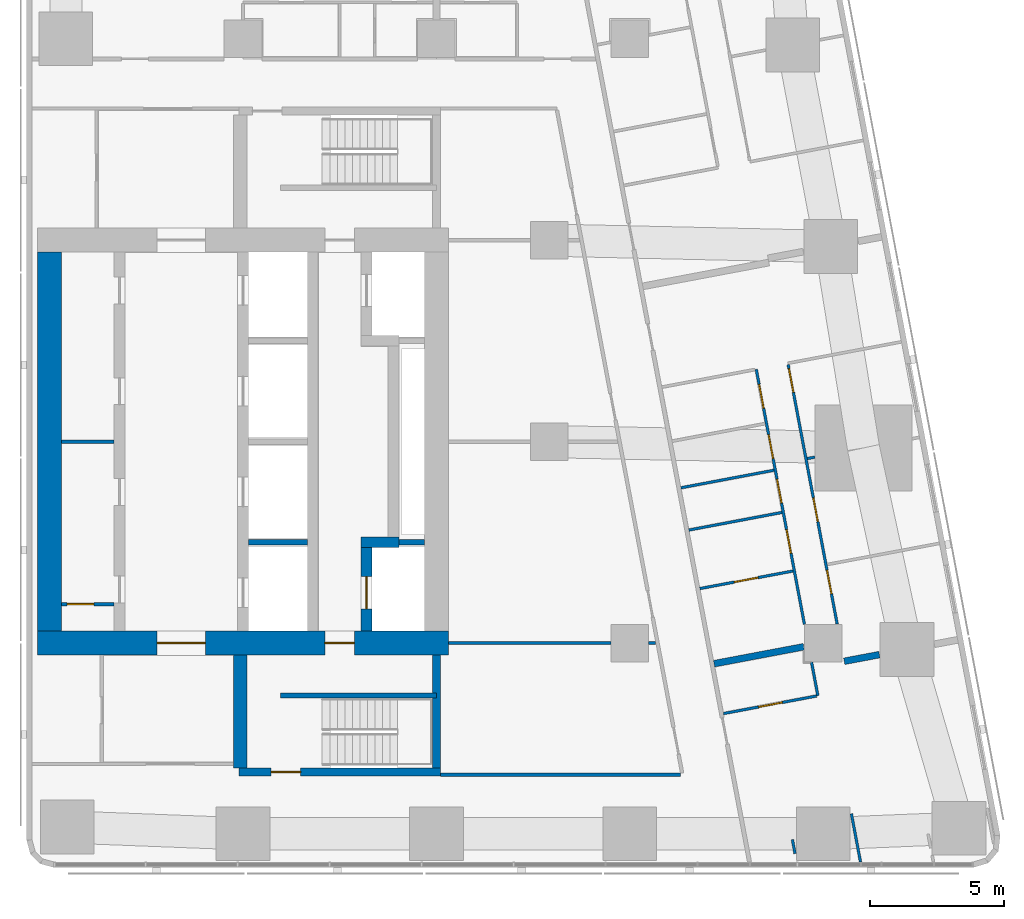
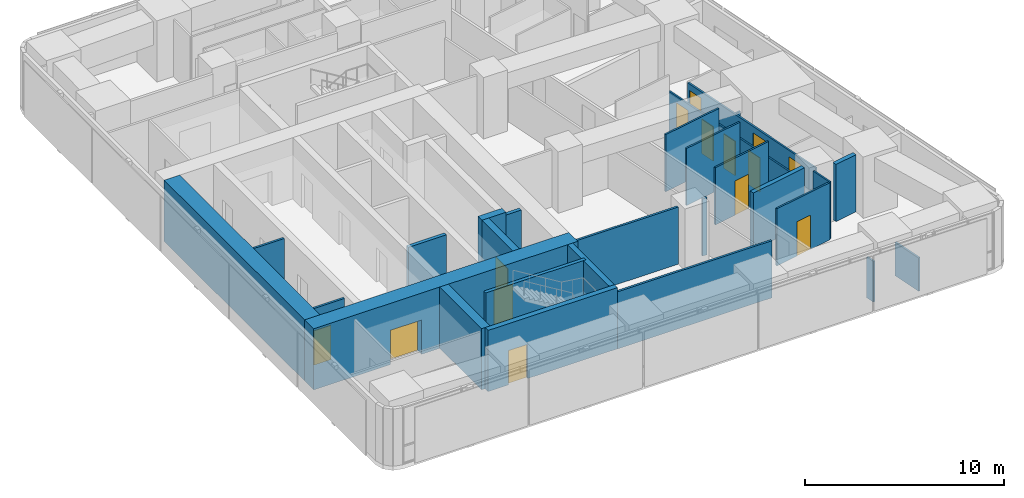
# One storey, part 5 of 11: 27 walls, 14 doors, 14 openings.
"""IFC4 building model written with IfcOpenShell, lengths in metres."""

from ifc_helpers import new_model, si_unit, direction, frame, frame_2d, origin, place, context, subcontext, project, spatial, rectangle, extrude, material, layer, layer_set, type_object, element, fill, save


model = new_model("IFC4")

# Units and contexts
model_context = context("Model", 3, precision=1e-05, world=origin(), true_north=direction((0.0, 1.0)))
body_context = subcontext(model_context, "Body", "Model", "MODEL_VIEW")
ifc_project = project(units=[si_unit("LENGTHUNIT", "METRE"), si_unit("AREAUNIT", "SQUARE_METRE"), si_unit("VOLUMEUNIT", "CUBIC_METRE"), si_unit("PLANEANGLEUNIT", "RADIAN"), si_unit("MASSUNIT", "GRAM", prefix="KILO")], contexts=[model_context])

# Site, building, storey
site_placement = place(None, origin())
site = spatial("IfcSite", under=ifc_project, at=site_placement, CompositionType="ELEMENT")
building_placement = place(site_placement, origin())
building = spatial("IfcBuilding", under=site, at=building_placement, Name="Sheger Commons Tower", CompositionType="ELEMENT")
storey_placement = place(building_placement, frame((0.0, 0.0, 281.60009765625)))
storey = spatial("IfcBuildingStorey", under=building, at=storey_placement, Name="L72", CompositionType="ELEMENT", Elevation=281.60009765625)

# Wall, opening, door
ifc_material_1 = material(Name="Concrete C50/60", Category="concrete")
ifc_layer_1 = layer(ifc_material_1, 0.39990234375)
ifc_layer_set_1 = layer_set([ifc_layer_1], Name="CORE INNER WALL 400")
wall_type_1 = type_object("IfcWallType", Name="CORE INNER WALL 400", PredefinedType="SHEAR", material=ifc_layer_set_1)
wall_1_placement = place(storey_placement, frame((26.199951171875, 15.449951171875, 0.0), z_axis=(0.0, 0.0, 1.0), x_axis=(0.0, 1.0, 0.0)))
wall_1 = element("IfcWall", 1, at=wall_1_placement, inside=storey, type_object=wall_type_1, Name="Core inner wall F L72", PredefinedType="SHEAR", context=body_context, shape_type="SweptSolid", body=[
    extrude(rectangle(XDim=3.10009765625, YDim=0.39990234375, at=frame_2d((1.550048828125, 0.0))), origin(), (0.0, 0.0, 1.0), 3.75),
])
opening_1_placement = place(wall_1_placement, frame((0.824951171875, 0.0, 0.0)))
opening_1 = element("IfcOpeningElement", 2, at=opening_1_placement, cuts=wall_1, Name="Opening LD2", PredefinedType="OPENING", context=body_context, shape_type="SweptSolid", body=[
    extrude(rectangle(XDim=1.199951171875, YDim=2.10009765625, at=frame_2d((0.60009765625, 1.050048828125))), frame((0.0, 0.2099609375, 0.0), z_axis=(0.0, -1.0, 0.0), x_axis=(1.0, 0.0, 0.0)), (0.0, 0.0, 1.0), 0.419921875),
])
ifc_material_2 = material(Name="Steel door set, fire rated", Category="steel")
door_type_1 = type_object("IfcDoorType", Name="FIREFIGHTING LIFT LANDING DOOR 1200x2100", OperationType="DOUBLE_DOOR_SLIDING", PredefinedType="DOOR", material=ifc_material_2)
door_1_placement = place(opening_1_placement, origin())
door_1 = element("IfcDoor", 3, at=door_1_placement, inside=storey, type_object=door_type_1, Name="Lift FL1 landing door", OperationType="DOUBLE_DOOR_SLIDING", OverallHeight=2.10009765625, OverallWidth=1.199951171875, PredefinedType="DOOR", context=body_context, shape_type="SweptSolid", body=[
    extrude(rectangle(XDim=1.199951171875, YDim=2.10009765625, at=frame_2d((0.60009765625, 1.050048828125))), frame((0.0, 0.02490234375, 0.0), z_axis=(0.0, -1.0, 0.0), x_axis=(1.0, 0.0, 0.0)), (0.0, 0.0, 1.0), 0.050048828125),
])
fill(opening_1, door_1)

# Wall
wall_2_placement = place(storey_placement, frame((26.0, 18.75, 0.0), z_axis=(0.0, 0.0, 1.0), x_axis=(1.0, 0.0, 0.0)))
element("IfcWall", 4, at=wall_2_placement, inside=storey, type_object=wall_type_1, Name="Core inner wall F south return L72", PredefinedType="SHEAR", context=body_context, shape_type="SweptSolid", body=[
    extrude(rectangle(XDim=1.39990234375, YDim=0.39990234375, at=frame_2d((0.699951171875, 0.0))), origin(), (0.0, 0.0, 1.0), 3.75),
])

# Wall, openings, doors
ifc_material_3 = material(Name="Concrete C50/60", Category="concrete")
ifc_layer_2 = layer(ifc_material_3, 0.89990234375)
ifc_layer_set_2 = layer_set([ifc_layer_2], Name="CORE WALL 900")
wall_type_2 = type_object("IfcWallType", Name="CORE WALL 900", PredefinedType="SHEAR", material=ifc_layer_set_2)
wall_3_placement = place(storey_placement, frame((13.949951171875, 15.0, 0.0), z_axis=(0.0, 0.0, 1.0), x_axis=(1.0, 0.0, 0.0)))
wall_3 = element("IfcWall", 5, at=wall_3_placement, inside=storey, type_object=wall_type_2, Name="Core wall south L72", PredefinedType="SHEAR", context=body_context, shape_type="SweptSolid", body=[
    extrude(rectangle(XDim=15.300048828125, YDim=0.89990234375, at=frame_2d((7.64990234375, 0.0))), origin(), (0.0, 0.0, 1.0), 3.75),
])
opening_2_placement = place(wall_3_placement, frame((4.449951171875, 0.0, 0.0)))
opening_2 = element("IfcOpeningElement", 6, at=opening_2_placement, cuts=wall_3, Name="Opening D6", PredefinedType="OPENING", context=body_context, shape_type="SweptSolid", body=[
    extrude(rectangle(XDim=1.800048828125, YDim=2.10009765625, at=frame_2d((0.89990234375, 1.050048828125))), frame((0.0, 0.4599609375, 0.0), z_axis=(0.0, -1.0, 0.0), x_axis=(1.0, 0.0, 0.0)), (0.0, 0.0, 1.0), 0.919921875),
])
opening_3_placement = place(wall_3_placement, frame((10.699951171875, 0.0, 0.0)))
opening_3 = element("IfcOpeningElement", 7, at=opening_3_placement, cuts=wall_3, Name="Opening D5", PredefinedType="OPENING", context=body_context, shape_type="SweptSolid", body=[
    extrude(rectangle(XDim=1.10009765625, YDim=2.10009765625, at=frame_2d((0.550048828125, 1.050048828125))), frame((0.0, 0.4599609375, 0.0), z_axis=(0.0, -1.0, 0.0), x_axis=(1.0, 0.0, 0.0)), (0.0, 0.0, 1.0), 0.919921875),
])
ifc_material_4 = material(Name="Steel door set, fire rated", Category="steel")
door_type_2 = type_object("IfcDoorType", Name="LOBBY DOUBLE DOOR 1800x2100", OperationType="DOUBLE_DOOR_SINGLE_SWING", PredefinedType="DOOR", material=ifc_material_4)
door_2_placement = place(opening_2_placement, origin())
door_2 = element("IfcDoor", 8, at=door_2_placement, inside=storey, type_object=door_type_2, Name="Lift lobby door", OperationType="DOUBLE_DOOR_SINGLE_SWING", OverallHeight=2.10009765625, OverallWidth=1.800048828125, PredefinedType="DOOR", context=body_context, shape_type="SweptSolid", body=[
    extrude(rectangle(XDim=1.800048828125, YDim=2.10009765625, at=frame_2d((0.89990234375, 1.050048828125))), frame((0.0, 0.02490234375, 0.0), z_axis=(0.0, -1.0, 0.0), x_axis=(1.0, 0.0, 0.0)), (0.0, 0.0, 1.0), 0.050048828125),
])
fill(opening_2, door_2)
ifc_material_5 = material(Name="Steel door set, fire rated", Category="steel")
door_type_3 = type_object("IfcDoorType", Name="STAIR DOOR 1100x2100", OperationType="NOTDEFINED", PredefinedType="DOOR", material=ifc_material_5)
door_3_placement = place(opening_3_placement, origin())
door_3 = element("IfcDoor", 9, at=door_3_placement, inside=storey, type_object=door_type_3, Name="Fire-fighting lobby door", OperationType="SINGLE_SWING_RIGHT", OverallHeight=2.10009765625, OverallWidth=1.10009765625, PredefinedType="DOOR", context=body_context, shape_type="SweptSolid", body=[
    extrude(rectangle(XDim=1.10009765625, YDim=2.10009765625, at=frame_2d((0.550048828125, 1.050048828125))), frame((0.0, 0.02490234375, 0.0), z_axis=(0.0, -1.0, 0.0), x_axis=(1.0, 0.0, 0.0)), (0.0, 0.0, 1.0), 0.050048828125),
])
fill(opening_3, door_3)

# Walls
wall_4_placement = place(storey_placement, frame((14.39990234375, 15.449951171875, 0.0), z_axis=(0.0, 0.0, 1.0), x_axis=(0.0, 1.0, 0.0)))
element("IfcWall", 10, at=wall_4_placement, inside=storey, type_object=wall_type_2, Name="Core wall west L72", PredefinedType="SHEAR", context=body_context, shape_type="SweptSolid", body=[
    extrude(rectangle(XDim=14.10009765625, YDim=0.89990234375, at=frame_2d((7.050048828125, 0.0))), origin(), (0.0, 0.0, 1.0), 3.75),
])
ifc_material_6 = material(Name="Dense concrete block masonry, plastered both sides (separating wall between flats)", Category="masonry")
ifc_layer_3 = layer(ifc_material_6, 0.25)
ifc_layer_set_3 = layer_set([ifc_layer_3], Name="DEMISING WALL 250")
wall_type_3 = type_object("IfcWallType", Name="DEMISING WALL 250", PredefinedType="SOLIDWALL", material=ifc_layer_set_3)
wall_5_placement = place(storey_placement, frame((45.2900390625, 14.569091796875, 0.0), z_axis=(0.0, 0.0, 1.0), x_axis=(-0.982676759201, -0.185327782391, 0.0)))
element("IfcWall", 11, at=wall_5_placement, inside=storey, type_object=wall_type_3, Name="Demising wall L72", PredefinedType="SOLIDWALL", context=body_context, shape_type="SweptSolid", body=[
    extrude(rectangle(XDim=1.333251953125, YDim=0.25, at=frame_2d((0.66650390625, 0.0))), origin(), (0.0, 0.0, 1.0), 3.5),
])
wall_6_placement = place(storey_placement, frame((42.47607421875, 14.863037109375, 0.0), z_axis=(0.0, 0.0, 1.0), x_axis=(-0.982603567712, -0.185715450942, 0.0)))
element("IfcWall", 12, at=wall_6_placement, inside=storey, type_object=wall_type_3, Name="Demising wall L72", PredefinedType="SOLIDWALL", context=body_context, shape_type="SweptSolid", body=[
    extrude(rectangle(XDim=3.398193359375, YDim=0.25, at=frame_2d((1.69921875, 0.0))), origin(), (0.0, 0.0, 1.0), 3.5),
])
ifc_material_7 = material(Name="Gypsum board on steel studs", Category="steel")
ifc_layer_4 = layer(ifc_material_7, 0.10009765625)
ifc_layer_set_4 = layer_set([ifc_layer_4], Name="PARTITION 100")
wall_type_4 = type_object("IfcWallType", Name="PARTITION 100", PredefinedType="PARTITIONING", material=ifc_layer_set_4)
wall_7_placement = place(storey_placement, frame((44.248046875, 8.64599609375, 0.0), z_axis=(0.0, 0.0, 1.0), x_axis=(0.185417594585, -0.982659816833, 0.0)))
element("IfcWall", 13, at=wall_7_placement, inside=storey, type_object=wall_type_4, Name="Partition L72", PredefinedType="PARTITIONING", context=body_context, shape_type="SweptSolid", body=[
    extrude(rectangle(XDim=1.82763671875, YDim=0.10009765625, at=frame_2d((0.913818359375, 0.0))), origin(), (0.0, 0.0, 1.0), 2.0498046875),
])
wall_8_placement = place(storey_placement, frame((42.15087890625, 7.159912109375, 0.0), z_axis=(0.0, 0.0, 1.0), x_axis=(-0.185366164644, 0.982669519729, 0.0)))
element("IfcWall", 14, at=wall_8_placement, inside=storey, type_object=wall_type_4, Name="Partition L72", PredefinedType="PARTITIONING", context=body_context, shape_type="SweptSolid", body=[
    extrude(rectangle(XDim=0.533447265625, YDim=0.10009765625, at=frame_2d((0.2666015625, 0.0))), origin(), (0.0, 0.0, 1.0), 2.5),
])

# Wall, openings, doors
wall_9_placement = place(storey_placement, frame((41.89404296875, 25.365966796875, 0.0), z_axis=(0.0, 0.0, 1.0), x_axis=(0.185612905165, -0.982622943675, 0.0)))
wall_9 = element("IfcWall", 15, at=wall_9_placement, inside=storey, type_object=wall_type_4, Name="Partition L72", PredefinedType="PARTITIONING", context=body_context, shape_type="SweptSolid", body=[
    extrude(rectangle(XDim=9.82666015625, YDim=0.10009765625, at=frame_2d((4.913330078125, 0.0))), origin(), (0.0, 0.0, 1.0), 2.5),
])
opening_4_placement = place(wall_9_placement, frame((0.15087890625, 0.0, 0.0)))
opening_4 = element("IfcOpeningElement", 16, at=opening_4_placement, cuts=wall_9, Name="Opening D2", PredefinedType="OPENING", context=body_context, shape_type="SweptSolid", body=[
    extrude(rectangle(XDim=0.89990234375, YDim=2.10009765625, at=frame_2d((0.449951171875, 1.050048828125))), frame((0.0, 0.06005859375, 0.0), z_axis=(0.0, -1.0, 0.0), x_axis=(1.0, 0.0, 0.0)), (0.0, 0.0, 1.0), 0.1201171875),
])
opening_5_placement = place(wall_9_placement, frame((5.050048828125, 0.0, 0.0)))
opening_5 = element("IfcOpeningElement", 17, at=opening_5_placement, cuts=wall_9, Name="Opening D2", PredefinedType="OPENING", context=body_context, shape_type="SweptSolid", body=[
    extrude(rectangle(XDim=0.89990234375, YDim=2.10009765625, at=frame_2d((0.449951171875, 1.050048828125))), frame((0.0, 0.06005859375, 0.0), z_axis=(0.0, -1.0, 0.0), x_axis=(1.0, 0.0, 0.0)), (0.0, 0.0, 1.0), 0.1201171875),
])
opening_6_placement = place(wall_9_placement, frame((7.782958984375, 0.0, 0.0)))
opening_6 = element("IfcOpeningElement", 18, at=opening_6_placement, cuts=wall_9, Name="Opening D2", PredefinedType="OPENING", context=body_context, shape_type="SweptSolid", body=[
    extrude(rectangle(XDim=0.89990234375, YDim=2.10009765625, at=frame_2d((0.449951171875, 1.050048828125))), frame((0.0, 0.06005859375, 0.0), z_axis=(0.0, -1.0, 0.0), x_axis=(1.0, 0.0, 0.0)), (0.0, 0.0, 1.0), 0.1201171875),
])
ifc_material_8 = material(Name="Timber door set", Category="wood")
door_type_4 = type_object("IfcDoorType", Name="INTERNAL DOOR 900x2100", OperationType="NOTDEFINED", PredefinedType="DOOR", material=ifc_material_8)
door_4_placement = place(opening_4_placement, origin())
door_4 = element("IfcDoor", 19, at=door_4_placement, inside=storey, type_object=door_type_4, Name="Main bedroom door", OperationType="SINGLE_SWING_LEFT", OverallHeight=2.10009765625, OverallWidth=0.89990234375, PredefinedType="DOOR", context=body_context, shape_type="SweptSolid", body=[
    extrude(rectangle(XDim=0.89990234375, YDim=2.10009765625, at=frame_2d((0.449951171875, 1.050048828125))), frame((0.0, 0.02490234375, 0.0), z_axis=(0.0, -1.0, 0.0), x_axis=(1.0, 0.0, 0.0)), (0.0, 0.0, 1.0), 0.050048828125),
])
fill(opening_4, door_4)
door_5_placement = place(opening_5_placement, origin())
door_5 = element("IfcDoor", 20, at=door_5_placement, inside=storey, type_object=door_type_4, Name="Bedroom 2 door", OperationType="SINGLE_SWING_LEFT", OverallHeight=2.10009765625, OverallWidth=0.89990234375, PredefinedType="DOOR", context=body_context, shape_type="SweptSolid", body=[
    extrude(rectangle(XDim=0.89990234375, YDim=2.10009765625, at=frame_2d((0.449951171875, 1.050048828125))), frame((0.0, 0.02490234375, 0.0), z_axis=(0.0, -1.0, 0.0), x_axis=(1.0, 0.0, 0.0)), (0.0, 0.0, 1.0), 0.050048828125),
])
fill(opening_5, door_5)
door_6_placement = place(opening_6_placement, origin())
door_6 = element("IfcDoor", 21, at=door_6_placement, inside=storey, type_object=door_type_4, Name="Bedroom 3 door", OperationType="SINGLE_SWING_LEFT", OverallHeight=2.10009765625, OverallWidth=0.89990234375, PredefinedType="DOOR", context=body_context, shape_type="SweptSolid", body=[
    extrude(rectangle(XDim=0.89990234375, YDim=2.10009765625, at=frame_2d((0.449951171875, 1.050048828125))), frame((0.0, 0.02490234375, 0.0), z_axis=(0.0, -1.0, 0.0), x_axis=(1.0, 0.0, 0.0)), (0.0, 0.0, 1.0), 0.050048828125),
])
fill(opening_6, door_6)

wall_10_placement = place(storey_placement, frame((40.7060546875, 25.19189453125, 0.0), z_axis=(0.0, 0.0, 1.0), x_axis=(0.185629824463, -0.982619747547, 0.0)))
wall_10 = element("IfcWall", 22, at=wall_10_placement, inside=storey, type_object=wall_type_4, Name="Partition L72", PredefinedType="PARTITIONING", context=body_context, shape_type="SweptSolid", body=[
    extrude(rectangle(XDim=9.658935546875, YDim=0.10009765625, at=frame_2d((4.82958984375, 0.0))), origin(), (0.0, 0.0, 1.0), 2.5),
])
opening_7_placement = place(wall_10_placement, frame((0.574951171875, 0.0, 0.0)))
opening_7 = element("IfcOpeningElement", 23, at=opening_7_placement, cuts=wall_10, Name="Opening D2", PredefinedType="OPENING", context=body_context, shape_type="SweptSolid", body=[
    extrude(rectangle(XDim=0.89990234375, YDim=2.10009765625, at=frame_2d((0.449951171875, 1.050048828125))), frame((0.0, 0.06005859375, 0.0), z_axis=(0.0, -1.0, 0.0), x_axis=(1.0, 0.0, 0.0)), (0.0, 0.0, 1.0), 0.1201171875),
])
opening_8_placement = place(wall_10_placement, frame((4.166015625, 0.0, 0.0)))
opening_8 = element("IfcOpeningElement", 24, at=opening_8_placement, cuts=wall_10, Name="Opening D2", PredefinedType="OPENING", context=body_context, shape_type="SweptSolid", body=[
    extrude(rectangle(XDim=0.89990234375, YDim=2.10009765625, at=frame_2d((0.449951171875, 1.050048828125))), frame((0.0, 0.06005859375, 0.0), z_axis=(0.0, -1.0, 0.0), x_axis=(1.0, 0.0, 0.0)), (0.0, 0.0, 1.0), 0.1201171875),
])
opening_9_placement = place(wall_10_placement, frame((2.48291015625, 0.0, 0.0)))
opening_9 = element("IfcOpeningElement", 25, at=opening_9_placement, cuts=wall_10, Name="Opening D2", PredefinedType="OPENING", context=body_context, shape_type="SweptSolid", body=[
    extrude(rectangle(XDim=0.89990234375, YDim=2.10009765625, at=frame_2d((0.449951171875, 1.050048828125))), frame((0.0, 0.06005859375, 0.0), z_axis=(0.0, -1.0, 0.0), x_axis=(1.0, 0.0, 0.0)), (0.0, 0.0, 1.0), 0.1201171875),
])
opening_10_placement = place(wall_10_placement, frame((6.073974609375, 0.0, 0.0)))
opening_10 = element("IfcOpeningElement", 26, at=opening_10_placement, cuts=wall_10, Name="Opening D2", PredefinedType="OPENING", context=body_context, shape_type="SweptSolid", body=[
    extrude(rectangle(XDim=0.89990234375, YDim=2.10009765625, at=frame_2d((0.449951171875, 1.050048828125))), frame((0.0, 0.06005859375, 0.0), z_axis=(0.0, -1.0, 0.0), x_axis=(1.0, 0.0, 0.0)), (0.0, 0.0, 1.0), 0.1201171875),
])
door_7_placement = place(opening_7_placement, origin())
door_7 = element("IfcDoor", 27, at=door_7_placement, inside=storey, type_object=door_type_4, Name="Bathroom door", OperationType="SINGLE_SWING_RIGHT", OverallHeight=2.10009765625, OverallWidth=0.89990234375, PredefinedType="DOOR", context=body_context, shape_type="SweptSolid", body=[
    extrude(rectangle(XDim=0.89990234375, YDim=2.10009765625, at=frame_2d((0.449951171875, 1.050048828125))), frame((0.0, 0.02490234375, 0.0), z_axis=(0.0, -1.0, 0.0), x_axis=(1.0, 0.0, 0.0)), (0.0, 0.0, 1.0), 0.050048828125),
])
fill(opening_7, door_7)
door_8_placement = place(opening_8_placement, origin())
door_8 = element("IfcDoor", 28, at=door_8_placement, inside=storey, type_object=door_type_4, Name="Shower room door", OperationType="SINGLE_SWING_LEFT", OverallHeight=2.10009765625, OverallWidth=0.89990234375, PredefinedType="DOOR", context=body_context, shape_type="SweptSolid", body=[
    extrude(rectangle(XDim=0.89990234375, YDim=2.10009765625, at=frame_2d((0.449951171875, 1.050048828125))), frame((0.0, 0.02490234375, 0.0), z_axis=(0.0, -1.0, 0.0), x_axis=(1.0, 0.0, 0.0)), (0.0, 0.0, 1.0), 0.050048828125),
])
fill(opening_8, door_8)
door_9_placement = place(opening_9_placement, origin())
door_9 = element("IfcDoor", 29, at=door_9_placement, inside=storey, type_object=door_type_4, Name="Store door", OperationType="SINGLE_SWING_LEFT", OverallHeight=2.10009765625, OverallWidth=0.89990234375, PredefinedType="DOOR", context=body_context, shape_type="SweptSolid", body=[
    extrude(rectangle(XDim=0.89990234375, YDim=2.10009765625, at=frame_2d((0.449951171875, 1.050048828125))), frame((0.0, 0.02490234375, 0.0), z_axis=(0.0, -1.0, 0.0), x_axis=(1.0, 0.0, 0.0)), (0.0, 0.0, 1.0), 0.050048828125),
])
fill(opening_9, door_9)
door_10_placement = place(opening_10_placement, origin())
door_10 = element("IfcDoor", 30, at=door_10_placement, inside=storey, type_object=door_type_4, Name="Store door", OperationType="SINGLE_SWING_RIGHT", OverallHeight=2.10009765625, OverallWidth=0.89990234375, PredefinedType="DOOR", context=body_context, shape_type="SweptSolid", body=[
    extrude(rectangle(XDim=0.89990234375, YDim=2.10009765625, at=frame_2d((0.449951171875, 1.050048828125))), frame((0.0, 0.02490234375, 0.0), z_axis=(0.0, -1.0, 0.0), x_axis=(1.0, 0.0, 0.0)), (0.0, 0.0, 1.0), 0.050048828125),
])
fill(opening_10, door_10)

# Walls
wall_11_placement = place(storey_placement, frame((42.886962890625, 21.9208984375, 0.0), z_axis=(0.0, 0.0, 1.0), x_axis=(-0.982688058078, -0.185267861514, 0.0)))
element("IfcWall", 31, at=wall_11_placement, inside=storey, type_object=wall_type_4, Name="Partition L72", PredefinedType="PARTITIONING", context=body_context, shape_type="SweptSolid", body=[
    extrude(rectangle(XDim=0.285888671875, YDim=0.10009765625, at=frame_2d((0.14306640625, 0.0))), origin(), (0.0, 0.0, 1.0), 2.5),
])
wall_12_placement = place(storey_placement, frame((41.364990234375, 21.43310546875, 0.0), z_axis=(0.0, 0.0, 1.0), x_axis=(-0.982638553676, -0.185530247748, 0.0)))
element("IfcWall", 32, at=wall_12_placement, inside=storey, type_object=wall_type_4, Name="Partition L72", PredefinedType="PARTITIONING", context=body_context, shape_type="SweptSolid", body=[
    extrude(rectangle(XDim=3.525390625, YDim=0.10009765625, at=frame_2d((1.7626953125, 0.0))), origin(), (0.0, 0.0, 1.0), 3.5),
])

# Wall, opening, door
wall_13_placement = place(storey_placement, frame((42.072998046875, 17.681884765625, 0.0), z_axis=(0.0, 0.0, 1.0), x_axis=(-0.98265117712, -0.185463376723, 0.0)))
wall_13 = element("IfcWall", 33, at=wall_13_placement, inside=storey, type_object=wall_type_4, Name="Partition L72", PredefinedType="PARTITIONING", context=body_context, shape_type="SweptSolid", body=[
    extrude(rectangle(XDim=3.525390625, YDim=0.10009765625, at=frame_2d((1.7626953125, 0.0))), origin(), (0.0, 0.0, 1.0), 3.5),
])
opening_11_placement = place(wall_13_placement, frame((1.324951171875, 0.0, 0.0)))
opening_11 = element("IfcOpeningElement", 34, at=opening_11_placement, cuts=wall_13, Name="Opening D2", PredefinedType="OPENING", context=body_context, shape_type="SweptSolid", body=[
    extrude(rectangle(XDim=0.89990234375, YDim=2.10009765625, at=frame_2d((0.449951171875, 1.050048828125))), frame((0.0, 0.06005859375, 0.0), z_axis=(0.0, -1.0, 0.0), x_axis=(1.0, 0.0, 0.0)), (0.0, 0.0, 1.0), 0.1201171875),
])
door_11_placement = place(opening_11_placement, origin())
door_11 = element("IfcDoor", 35, at=door_11_placement, inside=storey, type_object=door_type_4, Name="Store door", OperationType="SINGLE_SWING_LEFT", OverallHeight=2.10009765625, OverallWidth=0.89990234375, PredefinedType="DOOR", context=body_context, shape_type="SweptSolid", body=[
    extrude(rectangle(XDim=0.89990234375, YDim=2.10009765625, at=frame_2d((0.449951171875, 1.050048828125))), frame((0.0, 0.02490234375, 0.0), z_axis=(0.0, -1.0, 0.0), x_axis=(1.0, 0.0, 0.0)), (0.0, 0.0, 1.0), 0.050048828125),
])
fill(opening_11, door_11)

# Walls
wall_14_placement = place(storey_placement, frame((41.662109375, 19.861083984375, 0.0), z_axis=(0.0, 0.0, 1.0), x_axis=(-0.982588017646, -0.185797706064, 0.0)))
element("IfcWall", 36, at=wall_14_placement, inside=storey, type_object=wall_type_4, Name="Partition L72", PredefinedType="PARTITIONING", context=body_context, shape_type="SweptSolid", body=[
    extrude(rectangle(XDim=3.525390625, YDim=0.10009765625, at=frame_2d((1.7626953125, 0.0))), origin(), (0.0, 0.0, 1.0), 3.5),
])
wall_15_placement = place(storey_placement, frame((42.764892578125, 14.2900390625, 0.0), z_axis=(0.0, 0.0, 1.0), x_axis=(0.185446293138, -0.982654401283, 0.0)))
element("IfcWall", 37, at=wall_15_placement, inside=storey, type_object=wall_type_4, Name="Partition L72", PredefinedType="PARTITIONING", context=body_context, shape_type="SweptSolid", body=[
    extrude(rectangle(XDim=1.27294921875, YDim=0.10009765625, at=frame_2d((0.636474609375, 0.0))), origin(), (0.0, 0.0, 1.0), 3.5),
])

# Wall, opening, door
wall_16_placement = place(storey_placement, frame((42.951904296875, 13.030029296875, 0.0), z_axis=(0.0, 0.0, 1.0), x_axis=(-0.982585626838, -0.185810349366, 0.0)))
wall_16 = element("IfcWall", 38, at=wall_16_placement, inside=storey, type_object=wall_type_4, Name="Partition L72", PredefinedType="PARTITIONING", context=body_context, shape_type="SweptSolid", body=[
    extrude(rectangle(XDim=3.525146484375, YDim=0.10009765625, at=frame_2d((1.7626953125, 0.0))), origin(), (0.0, 0.0, 1.0), 3.5),
])
opening_12_placement = place(wall_16_placement, frame((1.299072265625, 0.0, 0.0)))
opening_12 = element("IfcOpeningElement", 39, at=opening_12_placement, cuts=wall_16, Name="Opening D2", PredefinedType="OPENING", context=body_context, shape_type="SweptSolid", body=[
    extrude(rectangle(XDim=0.89990234375, YDim=2.10009765625, at=frame_2d((0.449951171875, 1.050048828125))), frame((0.0, 0.06005859375, 0.0), z_axis=(0.0, -1.0, 0.0), x_axis=(1.0, 0.0, 0.0)), (0.0, 0.0, 1.0), 0.1201171875),
])
door_12_placement = place(opening_12_placement, origin())
door_12 = element("IfcDoor", 40, at=door_12_placement, inside=storey, type_object=door_type_4, Name="Shower room door", OperationType="SINGLE_SWING_LEFT", OverallHeight=2.10009765625, OverallWidth=0.89990234375, PredefinedType="DOOR", context=body_context, shape_type="SweptSolid", body=[
    extrude(rectangle(XDim=0.89990234375, YDim=2.10009765625, at=frame_2d((0.449951171875, 1.050048828125))), frame((0.0, 0.02490234375, 0.0), z_axis=(0.0, -1.0, 0.0), x_axis=(1.0, 0.0, 0.0)), (0.0, 0.0, 1.0), 0.050048828125),
])
fill(opening_12, door_12)

# Walls
ifc_material_9 = material(Name="Gypsum board on steel studs, two layers each side, fire rated", Category="steel")
ifc_layer_5 = layer(ifc_material_9, 0.125)
ifc_layer_set_5 = layer_set([ifc_layer_5], Name="SERVICE WALL 125")
wall_type_5 = type_object("IfcWallType", Name="SERVICE WALL 125", PredefinedType="PARTITIONING", material=ifc_layer_set_5)
wall_17_placement = place(storey_placement, frame((28.949951171875, 10.10009765625, 0.0), z_axis=(0.0, 0.0, 1.0), x_axis=(1.0, 0.0, 0.0)))
element("IfcWall", 41, at=wall_17_placement, inside=storey, type_object=wall_type_5, Name="Service room wall L72", PredefinedType="PARTITIONING", context=body_context, shape_type="SweptSolid", body=[
    extrude(rectangle(XDim=8.93310546875, YDim=0.125, at=frame_2d((4.466552734375, 0.0))), origin(), (0.0, 0.0, 1.0), 3.5),
])
wall_18_placement = place(storey_placement, frame((29.25, 15.0, 0.0), z_axis=(0.0, 0.0, 1.0), x_axis=(1.0, 0.0, 0.0)))
element("IfcWall", 42, at=wall_18_placement, inside=storey, type_object=wall_type_5, Name="Service room wall L72", PredefinedType="PARTITIONING", context=body_context, shape_type="SweptSolid", body=[
    extrude(rectangle(XDim=6.049072265625, YDim=0.125, at=frame_2d((3.0244140625, 0.0))), origin(), (0.0, 0.0, 1.0), 3.5),
])
wall_19_placement = place(storey_placement, frame((36.700927734375, 15.0, 0.0), z_axis=(0.0, 0.0, 1.0), x_axis=(1.0, 0.0, 0.0)))
element("IfcWall", 43, at=wall_19_placement, inside=storey, type_object=wall_type_5, Name="Service room wall L72", PredefinedType="PARTITIONING", context=body_context, shape_type="SweptSolid", body=[
    extrude(rectangle(XDim=0.257080078125, YDim=0.125, at=frame_2d((0.12841796875, 0.0))), origin(), (0.0, 0.0, 1.0), 3.5),
])

# Wall, opening, door
wall_20_placement = place(storey_placement, frame((14.85009765625, 16.449951171875, 0.0), z_axis=(0.0, 0.0, 1.0), x_axis=(1.0, 0.0, 0.0)))
wall_20 = element("IfcWall", 44, at=wall_20_placement, inside=storey, type_object=wall_type_5, Name="Service room wall L72", PredefinedType="PARTITIONING", context=body_context, shape_type="SweptSolid", body=[
    extrude(rectangle(XDim=1.949951171875, YDim=0.125, at=frame_2d((0.97509765625, 0.0))), origin(), (0.0, 0.0, 1.0), 3.5),
])
opening_13_placement = place(wall_20_placement, frame((0.199951171875, 0.0, 0.0)))
opening_13 = element("IfcOpeningElement", 45, at=opening_13_placement, cuts=wall_20, Name="Opening D4", PredefinedType="OPENING", context=body_context, shape_type="SweptSolid", body=[
    extrude(rectangle(XDim=1.0, YDim=2.10009765625, at=frame_2d((0.5, 1.050048828125))), frame((0.0, 0.072509765625, 0.0), z_axis=(0.0, -1.0, 0.0), x_axis=(1.0, 0.0, 0.0)), (0.0, 0.0, 1.0), 0.14501953125),
])
ifc_material_10 = material(Name="Steel door set, fire rated", Category="steel")
door_type_5 = type_object("IfcDoorType", Name="SERVICE DOOR 1000x2100", OperationType="NOTDEFINED", PredefinedType="DOOR", material=ifc_material_10)
door_13_placement = place(opening_13_placement, origin())
door_13 = element("IfcDoor", 46, at=door_13_placement, inside=storey, type_object=door_type_5, Name="Electrical riser door", OperationType="SINGLE_SWING_RIGHT", OverallHeight=2.10009765625, OverallWidth=1.0, PredefinedType="DOOR", context=body_context, shape_type="SweptSolid", body=[
    extrude(rectangle(XDim=1.0, YDim=2.10009765625, at=frame_2d((0.5, 1.050048828125))), frame((0.0, 0.02490234375, 0.0), z_axis=(0.0, -1.0, 0.0), x_axis=(1.0, 0.0, 0.0)), (0.0, 0.0, 1.0), 0.050048828125),
])
fill(opening_13, door_13)

# Walls
wall_21_placement = place(storey_placement, frame((14.85009765625, 22.5, 0.0), z_axis=(0.0, 0.0, 1.0), x_axis=(1.0, 0.0, 0.0)))
element("IfcWall", 47, at=wall_21_placement, inside=storey, type_object=wall_type_5, Name="Service room wall L72", PredefinedType="PARTITIONING", context=body_context, shape_type="SweptSolid", body=[
    extrude(rectangle(XDim=1.949951171875, YDim=0.125, at=frame_2d((0.97509765625, 0.0))), origin(), (0.0, 0.0, 1.0), 3.5),
])
ifc_material_11 = material(Name="Hollow concrete block masonry", Category="masonry")
ifc_layer_6 = layer(ifc_material_11, 0.199951171875)
ifc_layer_set_6 = layer_set([ifc_layer_6], Name="SHAFT WALL 200")
wall_type_6 = type_object("IfcWallType", Name="SHAFT WALL 200", PredefinedType="SOLIDWALL", material=ifc_layer_set_6)
wall_22_placement = place(storey_placement, frame((21.800048828125, 18.75, 0.0), z_axis=(0.0, 0.0, 1.0), x_axis=(1.0, 0.0, 0.0)))
element("IfcWall", 48, at=wall_22_placement, inside=storey, type_object=wall_type_6, Name="Lift shaft wall L72", PredefinedType="SOLIDWALL", context=body_context, shape_type="SweptSolid", body=[
    extrude(rectangle(XDim=2.199951171875, YDim=0.199951171875, at=frame_2d((1.10009765625, 0.0))), origin(), (0.0, 0.0, 1.0), 3.5),
])
wall_23_placement = place(storey_placement, frame((27.39990234375, 18.75, 0.0), z_axis=(0.0, 0.0, 1.0), x_axis=(1.0, 0.0, 0.0)))
element("IfcWall", 49, at=wall_23_placement, inside=storey, type_object=wall_type_6, Name="Lift shaft wall L72", PredefinedType="SOLIDWALL", context=body_context, shape_type="SweptSolid", body=[
    extrude(rectangle(XDim=0.9501953125, YDim=0.199951171875, at=frame_2d((0.47509765625, 0.0))), origin(), (0.0, 0.0, 1.0), 3.5),
])

# Wall, opening, door
ifc_material_12 = material(Name="Concrete C50/60", Category="concrete")
ifc_layer_7 = layer(ifc_material_12, 0.300048828125)
ifc_layer_set_7 = layer_set([ifc_layer_7], Name="STAIR CORE WALL 300")
wall_type_7 = type_object("IfcWallType", Name="STAIR CORE WALL 300", PredefinedType="SHEAR", material=ifc_layer_set_7)
wall_24_placement = place(storey_placement, frame((21.449951171875, 10.199951171875, 0.0), z_axis=(0.0, 0.0, 1.0), x_axis=(1.0, 0.0, 0.0)))
wall_24 = element("IfcWall", 50, at=wall_24_placement, inside=storey, type_object=wall_type_7, Name="STW-L72-S1S", PredefinedType="SHEAR", context=body_context, shape_type="SweptSolid", body=[
    extrude(rectangle(XDim=7.5, YDim=0.300048828125, at=frame_2d((3.75, 0.0))), origin(), (0.0, 0.0, 1.0), 3.75),
])
opening_14_placement = place(wall_24_placement, frame((1.199951171875, 0.0, 0.0)))
opening_14 = element("IfcOpeningElement", 51, at=opening_14_placement, cuts=wall_24, Name="Opening D5", PredefinedType="OPENING", context=body_context, shape_type="SweptSolid", body=[
    extrude(rectangle(XDim=1.10009765625, YDim=2.10009765625, at=frame_2d((0.550048828125, 1.050048828125))), frame((0.0, 0.159912109375, 0.0), z_axis=(0.0, -1.0, 0.0), x_axis=(1.0, 0.0, 0.0)), (0.0, 0.0, 1.0), 0.320068359375),
])
door_14_placement = place(opening_14_placement, origin())
door_14 = element("IfcDoor", 52, at=door_14_placement, inside=storey, type_object=door_type_3, Name="Stair S1 door", OperationType="SINGLE_SWING_LEFT", OverallHeight=2.10009765625, OverallWidth=1.10009765625, PredefinedType="DOOR", context=body_context, shape_type="SweptSolid", body=[
    extrude(rectangle(XDim=1.10009765625, YDim=2.10009765625, at=frame_2d((0.550048828125, 1.050048828125))), frame((0.0, 0.02490234375, 0.0), z_axis=(0.0, -1.0, 0.0), x_axis=(1.0, 0.0, 0.0)), (0.0, 0.0, 1.0), 0.050048828125),
])
fill(opening_14, door_14)

# Walls
wall_25_placement = place(storey_placement, frame((28.800048828125, 10.35009765625, 0.0), z_axis=(0.0, 0.0, 1.0), x_axis=(0.0, 1.0, 0.0)))
element("IfcWall", 53, at=wall_25_placement, inside=storey, type_object=wall_type_7, Name="STW-L72-S1E", PredefinedType="SHEAR", context=body_context, shape_type="SweptSolid", body=[
    extrude(rectangle(XDim=4.199951171875, YDim=0.300048828125, at=frame_2d((2.10009765625, 0.0))), origin(), (0.0, 0.0, 1.0), 3.75),
])
ifc_material_13 = material(Name="Concrete C50/60", Category="concrete")
ifc_layer_8 = layer(ifc_material_13, 0.5)
ifc_layer_set_8 = layer_set([ifc_layer_8], Name="STAIR CORE WALL 500")
wall_type_8 = type_object("IfcWallType", Name="STAIR CORE WALL 500", PredefinedType="SHEAR", material=ifc_layer_set_8)
wall_26_placement = place(storey_placement, frame((21.5, 10.35009765625, 0.0), z_axis=(0.0, 0.0, 1.0), x_axis=(0.0, 1.0, 0.0)))
element("IfcWall", 54, at=wall_26_placement, inside=storey, type_object=wall_type_8, Name="STW-L72-S1W", PredefinedType="SHEAR", context=body_context, shape_type="SweptSolid", body=[
    extrude(rectangle(XDim=4.199951171875, YDim=0.5, at=frame_2d((2.10009765625, 0.0))), origin(), (0.0, 0.0, 1.0), 3.75),
])
ifc_material_14 = material(Name="Concrete C50/60", Category="concrete")
ifc_layer_9 = layer(ifc_material_14, 0.199951171875)
ifc_layer_set_9 = layer_set([ifc_layer_9], Name="STAIR SPINE WALL 200")
wall_type_9 = type_object("IfcWallType", Name="STAIR SPINE WALL 200", PredefinedType="SHEAR", material=ifc_layer_set_9)
wall_27_placement = place(storey_placement, frame((23.0, 13.050048828125, 0.0), z_axis=(0.0, 0.0, 1.0), x_axis=(1.0, 0.0, 0.0)))
element("IfcWall", 55, at=wall_27_placement, inside=storey, type_object=wall_type_9, Name="Stair spine wall L72", PredefinedType="SHEAR", context=body_context, shape_type="SweptSolid", body=[
    extrude(rectangle(XDim=5.800048828125, YDim=0.199951171875, at=frame_2d((2.89990234375, 0.0))), origin(), (0.0, 0.0, 1.0), 3.75),
])

save(model, "model.ifc")
